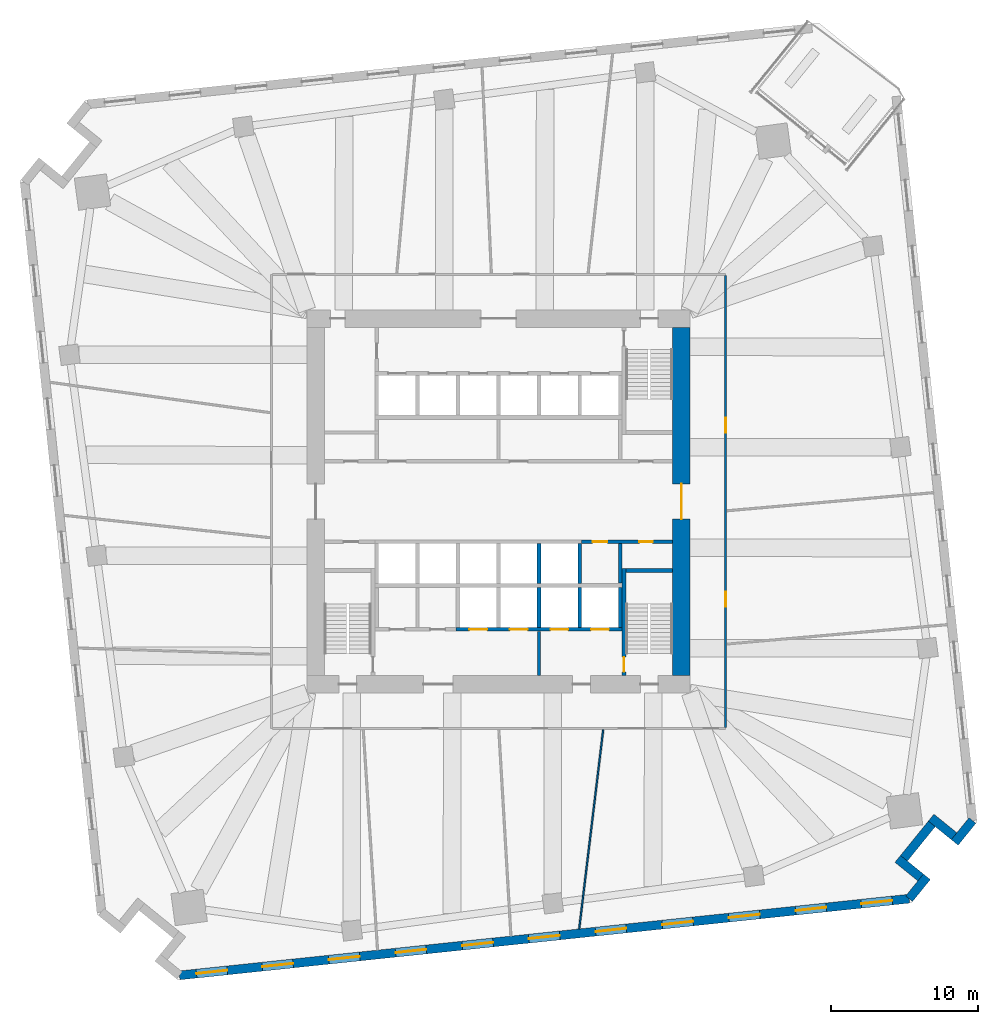
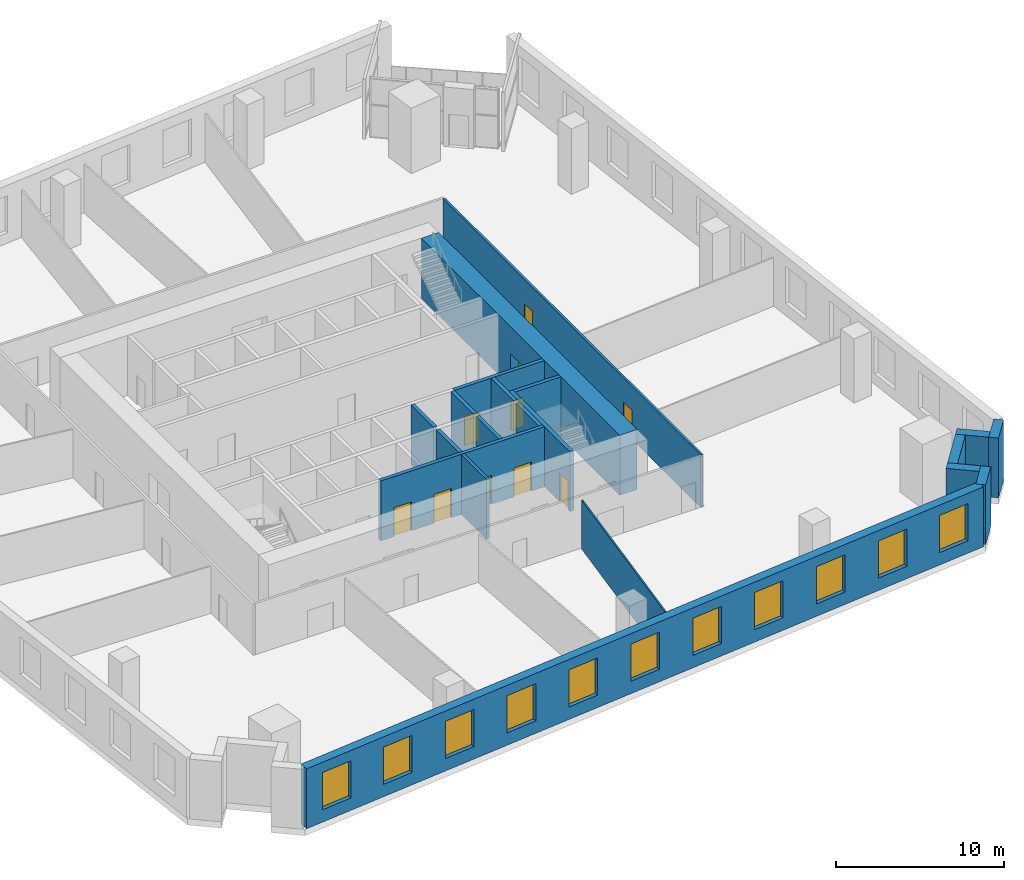
# One storey, part 5 of 10: 20 walls, 11 windows, 10 doors, 21 openings.
"""IFC4 building model written with IfcOpenShell, lengths in metres."""

from ifc_helpers import new_model, si_unit, direction, frame, frame_2d, origin, place, context, subcontext, project, spatial, rectangle, extrude, material, layer, layer_set, type_object, element, fill, save


model = new_model("IFC4")

# Units and contexts
model_context = context("Model", 3, precision=1e-05, world=origin(), true_north=direction((0.0, 1.0)))
body_context = subcontext(model_context, "Body", "Model", "MODEL_VIEW")
ifc_project = project(units=[si_unit("LENGTHUNIT", "METRE"), si_unit("AREAUNIT", "SQUARE_METRE"), si_unit("VOLUMEUNIT", "CUBIC_METRE"), si_unit("PLANEANGLEUNIT", "RADIAN"), si_unit("MASSUNIT", "GRAM", prefix="KILO")], contexts=[model_context])

# Site, building, storey
site_placement = place(None, origin())
site = spatial("IfcSite", under=ifc_project, at=site_placement, CompositionType="ELEMENT")
building_placement = place(site_placement, origin())
building = spatial("IfcBuilding", under=site, at=building_placement, Name="Dilmun Exchange Tower", CompositionType="ELEMENT")
storey_placement = place(building_placement, frame((0.0, 0.0, 46.5)))
storey = spatial("IfcBuildingStorey", under=building, at=storey_placement, Name="L10", CompositionType="ELEMENT", Elevation=46.5)

# Walls
ifc_material_1 = material(Name="Concrete C40/50", Category="concrete")
ifc_layer_1 = layer(ifc_material_1, 0.199951171875)
ifc_layer_set_1 = layer_set([ifc_layer_1], Name="Concrete C40/50")
wall_type_1 = type_object("IfcWallType", Name="Core partition wall 200", PredefinedType="PARTITIONING", material=ifc_layer_set_1)
wall_1_placement = place(storey_placement, frame((2.75, -11.794921875, 0.0), z_axis=(0.0, 0.0, 1.0), x_axis=(0.0, 1.0, 0.0)))
element("IfcWall", 1, at=wall_1_placement, inside=storey, type_object=wall_type_1, Name="L10 core partition wall 01", PredefinedType="PARTITIONING", context=body_context, shape_type="SweptSolid", body=[
    extrude(rectangle(XDim=2.989990234375, YDim=0.199951171875, at=frame_2d((1.4951171875, 0.0))), origin(), (0.0, 0.0, 1.0), 4.35009765625),
])
ifc_layer_2 = layer(ifc_material_1, 0.25)
ifc_layer_set_2 = layer_set([ifc_layer_2], Name="Concrete C40/50")
wall_type_2 = type_object("IfcWallType", Name="Core partition wall 250", PredefinedType="PARTITIONING", material=ifc_layer_set_2)
wall_2_placement = place(storey_placement, frame((8.25, -5.544921875, 0.0), z_axis=(0.0, 0.0, 1.0), x_axis=(0.0, 1.0, 0.0)))
element("IfcWall", 2, at=wall_2_placement, inside=storey, type_object=wall_type_2, Name="L10 core partition wall 05", PredefinedType="PARTITIONING", context=body_context, shape_type="SweptSolid", body=[
    extrude(rectangle(XDim=2.68994140625, YDim=0.25, at=frame_2d((1.344970703125, 0.0))), origin(), (0.0, 0.0, 1.0), 4.35009765625),
])

# Wall, openings, doors
wall_3_placement = place(storey_placement, frame((5.6298828125, -2.72509765625, 0.0), z_axis=(0.0, 0.0, 1.0), x_axis=(1.0, 0.0, 0.0)))
wall_3 = element("IfcWall", 3, at=wall_3_placement, inside=storey, type_object=wall_type_2, Name="L10 core partition wall 07", PredefinedType="PARTITIONING", context=body_context, shape_type="SweptSolid", body=[
    extrude(rectangle(XDim=6.1650390625, YDim=0.25, at=frame_2d((3.08251953125, 0.0))), origin(), (0.0, 0.0, 1.0), 4.35009765625),
])
opening_1_placement = place(wall_3_placement, frame((0.7451171875, 0.0, 0.0)))
opening_1 = element("IfcOpeningElement", 4, at=opening_1_placement, cuts=wall_3, Name="Opening CD4", PredefinedType="OPENING", context=body_context, shape_type="SweptSolid", body=[
    extrude(rectangle(XDim=1.0, YDim=2.10009765625, at=frame_2d((0.5, 1.050048828125))), frame((0.0, 0.135009765625, 0.0), z_axis=(0.0, -1.0, 0.0), x_axis=(1.0, 0.0, 0.0)), (0.0, 0.0, 1.0), 0.27001953125),
])
opening_2_placement = place(wall_3_placement, frame((3.919921875, 0.0, 0.0)))
opening_2 = element("IfcOpeningElement", 5, at=opening_2_placement, cuts=wall_3, Name="Opening CD6", PredefinedType="OPENING", context=body_context, shape_type="SweptSolid", body=[
    extrude(rectangle(XDim=0.89990234375, YDim=2.10009765625, at=frame_2d((0.449951171875, 1.050048828125))), frame((0.0, 0.135009765625, 0.0), z_axis=(0.0, -1.0, 0.0), x_axis=(1.0, 0.0, 0.0)), (0.0, 0.0, 1.0), 0.27001953125),
])
ifc_material_2 = material(Name="Fire-rated steel door set", Category="steel")
door_type_1 = type_object("IfcDoorType", Name="Core room door 1000x2100", OperationType="SINGLE_SWING_LEFT", PredefinedType="DOOR", material=ifc_material_2)
door_1_placement = place(opening_1_placement, origin())
door_1 = element("IfcDoor", 6, at=door_1_placement, inside=storey, type_object=door_type_1, Name="L10 door Cleaners' store", OperationType="SINGLE_SWING_LEFT", OverallHeight=2.10009765625, OverallWidth=1.0, PredefinedType="DOOR", context=body_context, shape_type="SweptSolid", body=[
    extrude(rectangle(XDim=1.0, YDim=2.10009765625, at=frame_2d((0.5, 1.050048828125))), frame((0.0, 0.02490234375, 0.0), z_axis=(0.0, -1.0, 0.0), x_axis=(1.0, 0.0, 0.0)), (0.0, 0.0, 1.0), 0.050048828125),
])
fill(opening_1, door_1)
door_type_2 = type_object("IfcDoorType", Name="Core room door 900x2100", OperationType="SINGLE_SWING_LEFT", PredefinedType="DOOR", material=ifc_material_2)
door_2_placement = place(opening_2_placement, origin())
door_2 = element("IfcDoor", 7, at=door_2_placement, inside=storey, type_object=door_type_2, Name="L10 door Comms riser", OperationType="SINGLE_SWING_LEFT", OverallHeight=2.10009765625, OverallWidth=0.89990234375, PredefinedType="DOOR", context=body_context, shape_type="SweptSolid", body=[
    extrude(rectangle(XDim=0.89990234375, YDim=2.10009765625, at=frame_2d((0.449951171875, 1.050048828125))), frame((0.0, 0.02490234375, 0.0), z_axis=(0.0, -1.0, 0.0), x_axis=(1.0, 0.0, 0.0)), (0.0, 0.0, 1.0), 0.050048828125),
])
fill(opening_2, door_2)

# Wall, opening, door
ifc_material_3 = material(Name="Concrete C80/95", Category="concrete")
ifc_layer_3 = layer(ifc_material_3, 1.199951171875)
ifc_layer_set_3 = layer_set([ifc_layer_3], Name="Concrete C80/95")
wall_type_3 = type_object("IfcWallType", Name="Core shear wall 1200 Concrete C80/95", PredefinedType="SHEAR", material=ifc_layer_set_3)
wall_4_placement = place(storey_placement, frame((12.39990234375, -11.800048828125, 0.0), z_axis=(0.0, 0.0, 1.0), x_axis=(0.0, 1.0, 0.0)))
wall_4 = element("IfcWall", 8, at=wall_4_placement, inside=storey, type_object=wall_type_3, Name="L10 core shear wall E", PredefinedType="SHEAR", context=body_context, shape_type="SweptSolid", body=[
    extrude(rectangle(XDim=23.60009765625, YDim=1.199951171875, at=frame_2d((11.800048828125, 0.0))), origin(), (0.0, 0.0, 1.0), 4.35009765625),
])
opening_3_placement = place(wall_4_placement, frame((10.60009765625, 0.0, 0.0)))
opening_3 = element("IfcOpeningElement", 9, at=opening_3_placement, cuts=wall_4, Name="Opening CD1", PredefinedType="OPENING", context=body_context, shape_type="SweptSolid", body=[
    extrude(rectangle(XDim=2.39990234375, YDim=2.39990234375, at=frame_2d((1.199951171875, 1.199951171875))), frame((0.0, 0.60986328125, 0.0), z_axis=(0.0, -1.0, 0.0), x_axis=(1.0, 0.0, 0.0)), (0.0, 0.0, 1.0), 1.219970703125),
])
door_type_3 = type_object("IfcDoorType", Name="Core lobby door 2400x2400", OperationType="DOUBLE_DOOR_DOUBLE_SWING", PredefinedType="DOOR", material=ifc_material_2)
door_3_placement = place(opening_3_placement, origin())
door_3 = element("IfcDoor", 10, at=door_3_placement, inside=storey, type_object=door_type_3, Name="L10 door Central lift lobby", OperationType="SINGLE_SWING_LEFT", OverallHeight=2.39990234375, OverallWidth=2.39990234375, PredefinedType="DOOR", context=body_context, shape_type="SweptSolid", body=[
    extrude(rectangle(XDim=2.39990234375, YDim=2.39990234375, at=frame_2d((1.199951171875, 1.199951171875))), frame((0.0, 0.02490234375, 0.0), z_axis=(0.0, -1.0, 0.0), x_axis=(1.0, 0.0, 0.0)), (0.0, 0.0, 1.0), 0.050048828125),
])
fill(opening_3, door_3)

# Wall, openings, doors
ifc_material_4 = material(Name="Corridor wall 150")
ifc_layer_4 = layer(ifc_material_4, 0.14990234375)
ifc_layer_set_4 = layer_set([ifc_layer_4], Name="Corridor wall 150")
wall_type_4 = type_object("IfcWallType", Name="Corridor wall 150", PredefinedType="PARTITIONING", material=ifc_layer_set_4)
wall_5_placement = place(storey_placement, frame((15.39990234375, -15.324951171875, 0.0), z_axis=(0.0, 0.0, 1.0), x_axis=(0.0, 1.0, 0.0)))
wall_5 = element("IfcWall", 11, at=wall_5_placement, inside=storey, type_object=wall_type_4, Name="Corridor wall", PredefinedType="PARTITIONING", context=body_context, shape_type="SweptSolid", body=[
    extrude(rectangle(XDim=30.64990234375, YDim=0.14990234375, at=frame_2d((15.324951171875, 0.0))), origin(), (0.0, 0.0, 1.0), 3.85009765625),
])
opening_4_placement = place(wall_5_placement, frame((19.985595703125, 0.0, 0.0)))
opening_4 = element("IfcOpeningElement", 12, at=opening_4_placement, cuts=wall_5, Name="Opening TF08-D12", PredefinedType="OPENING", context=body_context, shape_type="SweptSolid", body=[
    extrude(rectangle(XDim=1.0, YDim=2.10009765625, at=frame_2d((0.5, 1.050048828125))), frame((0.0, 0.0849609375, 0.0), z_axis=(0.0, -1.0, 0.0), x_axis=(1.0, 0.0, 0.0)), (0.0, 0.0, 1.0), 0.169921875),
])
opening_5_placement = place(wall_5_placement, frame((8.197021484375, 0.0, 0.0)))
opening_5 = element("IfcOpeningElement", 13, at=opening_5_placement, cuts=wall_5, Name="Opening TF08-D15", PredefinedType="OPENING", context=body_context, shape_type="SweptSolid", body=[
    extrude(rectangle(XDim=1.0, YDim=2.10009765625, at=frame_2d((0.5, 1.050048828125))), frame((0.0, 0.0849609375, 0.0), z_axis=(0.0, -1.0, 0.0), x_axis=(1.0, 0.0, 0.0)), (0.0, 0.0, 1.0), 0.169921875),
])
ifc_material_5 = material(Name="Fire door 1000 x 2100")
door_type_4 = type_object("IfcDoorType", Name="Fire door 1000 x 2100", OperationType="NOTDEFINED", PredefinedType="DOOR", material=ifc_material_5)
door_4_placement = place(opening_4_placement, frame((1.0, 0.0, 0.0), z_axis=(0.0, 0.0, 1.0), x_axis=(-1.0, 0.0, 0.0)))
door_4 = element("IfcDoor", 14, at=door_4_placement, inside=storey, type_object=door_type_4, Name="Door TF08-D12", OperationType="SINGLE_SWING_RIGHT", OverallHeight=2.10009765625, OverallWidth=1.0, PredefinedType="DOOR", context=body_context, shape_type="SweptSolid", body=[
    extrude(rectangle(XDim=1.0, YDim=2.10009765625, at=frame_2d((0.5, 1.050048828125))), frame((0.0, 0.02490234375, 0.0), z_axis=(0.0, -1.0, 0.0), x_axis=(1.0, 0.0, 0.0)), (0.0, 0.0, 1.0), 0.050048828125),
])
fill(opening_4, door_4)
door_5_placement = place(opening_5_placement, frame((1.0, 0.0, 0.0), z_axis=(0.0, 0.0, 1.0), x_axis=(-1.0, 0.0, 0.0)))
door_5 = element("IfcDoor", 15, at=door_5_placement, inside=storey, type_object=door_type_4, Name="Door TF08-D15", OperationType="SINGLE_SWING_LEFT", OverallHeight=2.10009765625, OverallWidth=1.0, PredefinedType="DOOR", context=body_context, shape_type="SweptSolid", body=[
    extrude(rectangle(XDim=1.0, YDim=2.10009765625, at=frame_2d((0.5, 1.050048828125))), frame((0.0, 0.02490234375, 0.0), z_axis=(0.0, -1.0, 0.0), x_axis=(1.0, 0.0, 0.0)), (0.0, 0.0, 1.0), 0.050048828125),
])
fill(opening_5, door_5)

# Walls
ifc_layer_5 = layer(ifc_material_1, 0.25)
ifc_layer_set_5 = layer_set([ifc_layer_5], Name="Concrete C40/50")
wall_type_5 = type_object("IfcWallType", Name="Lift shaft wall 250", PredefinedType="SOLIDWALL", material=ifc_layer_set_5)
for number, where, z_axis, x_axis, name in (
    (16, (2.75, -5.550048828125, 0.0), (0.0, 0.0, 1.0), (0.0, 1.0, 0.0), "L10 lift shaft divider S14"),
    (17, (5.5, -5.550048828125, 0.0), (0.0, 0.0, 1.0), (0.0, 1.0, 0.0), "L10 lift shaft divider S15"),
):
    element("IfcWall", number, at=place(storey_placement, frame(where, z_axis=z_axis, x_axis=x_axis)), inside=storey, type_object=wall_type_5, Name=name, PredefinedType="SOLIDWALL", context=body_context, shape_type="SweptSolid", body=[
        extrude(rectangle(XDim=2.699951171875, YDim=0.25, at=frame_2d((1.35009765625, 0.0))), origin(), (0.0, 0.0, 1.0), 4.35009765625),
    ])

# Wall, openings, doors
wall_6_placement = place(storey_placement, frame((-2.875, -8.675048828125, 0.0), z_axis=(0.0, 0.0, 1.0), x_axis=(1.0, 0.0, 0.0)))
wall_6 = element("IfcWall", 18, at=wall_6_placement, inside=storey, type_object=wall_type_5, Name="L10 lift shaft front wall S2", PredefinedType="SOLIDWALL", context=body_context, shape_type="SweptSolid", body=[
    extrude(rectangle(XDim=11.25, YDim=0.25, at=frame_2d((5.625, 0.0))), origin(), (0.0, 0.0, 1.0), 4.35009765625),
])
opening_6_placement = place(wall_6_placement, frame((0.89990234375, 0.0, 0.0)))
opening_6 = element("IfcOpeningElement", 19, at=opening_6_placement, cuts=wall_6, Name="Opening LD", PredefinedType="OPENING", context=body_context, shape_type="SweptSolid", body=[
    extrude(rectangle(XDim=1.199951171875, YDim=2.10009765625, at=frame_2d((0.60009765625, 1.050048828125))), frame((0.0, 0.135009765625, 0.0), z_axis=(0.0, -1.0, 0.0), x_axis=(1.0, 0.0, 0.0)), (0.0, 0.0, 1.0), 0.27001953125),
])
opening_7_placement = place(wall_6_placement, frame((3.64990234375, 0.0, 0.0)))
opening_7 = element("IfcOpeningElement", 20, at=opening_7_placement, cuts=wall_6, Name="Opening LD", PredefinedType="OPENING", context=body_context, shape_type="SweptSolid", body=[
    extrude(rectangle(XDim=1.199951171875, YDim=2.10009765625, at=frame_2d((0.60009765625, 1.050048828125))), frame((0.0, 0.135009765625, 0.0), z_axis=(0.0, -1.0, 0.0), x_axis=(1.0, 0.0, 0.0)), (0.0, 0.0, 1.0), 0.27001953125),
])
opening_8_placement = place(wall_6_placement, frame((6.39990234375, 0.0, 0.0)))
opening_8 = element("IfcOpeningElement", 21, at=opening_8_placement, cuts=wall_6, Name="Opening LD", PredefinedType="OPENING", context=body_context, shape_type="SweptSolid", body=[
    extrude(rectangle(XDim=1.199951171875, YDim=2.10009765625, at=frame_2d((0.60009765625, 1.050048828125))), frame((0.0, 0.135009765625, 0.0), z_axis=(0.0, -1.0, 0.0), x_axis=(1.0, 0.0, 0.0)), (0.0, 0.0, 1.0), 0.27001953125),
])
opening_9_placement = place(wall_6_placement, frame((9.14990234375, 0.0, 0.0)))
opening_9 = element("IfcOpeningElement", 22, at=opening_9_placement, cuts=wall_6, Name="Opening LD", PredefinedType="OPENING", context=body_context, shape_type="SweptSolid", body=[
    extrude(rectangle(XDim=1.199951171875, YDim=2.10009765625, at=frame_2d((0.60009765625, 1.050048828125))), frame((0.0, 0.135009765625, 0.0), z_axis=(0.0, -1.0, 0.0), x_axis=(1.0, 0.0, 0.0)), (0.0, 0.0, 1.0), 0.27001953125),
])
door_type_5 = type_object("IfcDoorType", Name="Lift landing door 1200x2100", OperationType="DOUBLE_DOOR_SLIDING", PredefinedType="DOOR", material=ifc_material_2)
door_6_placement = place(opening_6_placement, origin())
door_6 = element("IfcDoor", 23, at=door_6_placement, inside=storey, type_object=door_type_5, Name="L10 landing door SV1", OperationType="DOUBLE_DOOR_SLIDING", OverallHeight=2.10009765625, OverallWidth=1.199951171875, PredefinedType="DOOR", context=body_context, shape_type="SweptSolid", body=[
    extrude(rectangle(XDim=1.199951171875, YDim=2.10009765625, at=frame_2d((0.60009765625, 1.050048828125))), frame((0.0, 0.02490234375, 0.0), z_axis=(0.0, -1.0, 0.0), x_axis=(1.0, 0.0, 0.0)), (0.0, 0.0, 1.0), 0.050048828125),
])
fill(opening_6, door_6)
door_7_placement = place(opening_7_placement, origin())
door_7 = element("IfcDoor", 24, at=door_7_placement, inside=storey, type_object=door_type_5, Name="L10 landing door SV2", OperationType="DOUBLE_DOOR_SLIDING", OverallHeight=2.10009765625, OverallWidth=1.199951171875, PredefinedType="DOOR", context=body_context, shape_type="SweptSolid", body=[
    extrude(rectangle(XDim=1.199951171875, YDim=2.10009765625, at=frame_2d((0.60009765625, 1.050048828125))), frame((0.0, 0.02490234375, 0.0), z_axis=(0.0, -1.0, 0.0), x_axis=(1.0, 0.0, 0.0)), (0.0, 0.0, 1.0), 0.050048828125),
])
fill(opening_7, door_7)
door_8_placement = place(opening_8_placement, origin())
door_8 = element("IfcDoor", 25, at=door_8_placement, inside=storey, type_object=door_type_5, Name="L10 landing door FF1", OperationType="DOUBLE_DOOR_SLIDING", OverallHeight=2.10009765625, OverallWidth=1.199951171875, PredefinedType="DOOR", context=body_context, shape_type="SweptSolid", body=[
    extrude(rectangle(XDim=1.199951171875, YDim=2.10009765625, at=frame_2d((0.60009765625, 1.050048828125))), frame((0.0, 0.02490234375, 0.0), z_axis=(0.0, -1.0, 0.0), x_axis=(1.0, 0.0, 0.0)), (0.0, 0.0, 1.0), 0.050048828125),
])
fill(opening_8, door_8)
door_9_placement = place(opening_9_placement, origin())
door_9 = element("IfcDoor", 26, at=door_9_placement, inside=storey, type_object=door_type_5, Name="L10 landing door FF2", OperationType="DOUBLE_DOOR_SLIDING", OverallHeight=2.10009765625, OverallWidth=1.199951171875, PredefinedType="DOOR", context=body_context, shape_type="SweptSolid", body=[
    extrude(rectangle(XDim=1.199951171875, YDim=2.10009765625, at=frame_2d((0.60009765625, 1.050048828125))), frame((0.0, 0.02490234375, 0.0), z_axis=(0.0, -1.0, 0.0), x_axis=(1.0, 0.0, 0.0)), (0.0, 0.0, 1.0), 0.050048828125),
])
fill(opening_9, door_9)

# Walls
for number, where, z_axis, x_axis, name in (
    (27, (2.75, -8.550048828125, 0.0), (0.0, 0.0, 1.0), (0.0, 1.0, 0.0), "L10 lift shaft divider S24"),
    (28, (5.5, -8.550048828125, 0.0), (0.0, 0.0, 1.0), (0.0, 1.0, 0.0), "L10 lift shaft divider S25"),
    (29, (8.25, -8.550048828125, 0.0), (0.0, 0.0, 1.0), (0.0, 1.0, 0.0), "L10 lift shaft divider S26"),
):
    element("IfcWall", number, at=place(storey_placement, frame(where, z_axis=z_axis, x_axis=x_axis)), inside=storey, type_object=wall_type_5, Name=name, PredefinedType="SOLIDWALL", context=body_context, shape_type="SweptSolid", body=[
        extrude(rectangle(XDim=2.699951171875, YDim=0.25, at=frame_2d((1.35009765625, 0.0))), origin(), (0.0, 0.0, 1.0), 4.35009765625),
    ])
ifc_material_6 = material(Name="Partition 100")
ifc_layer_6 = layer(ifc_material_6, 0.10009765625)
ifc_layer_set_6 = layer_set([ifc_layer_6], Name="Partition 100")
wall_type_6 = type_object("IfcWallType", Name="Partition 100", PredefinedType="PARTITIONING", material=ifc_layer_set_6)
wall_7_placement = place(storey_placement, frame((5.468994140625, -28.985107421875, 0.0), z_axis=(0.0, 0.0, 1.0), x_axis=(0.119701505931, 0.992809926158, 0.0)))
element("IfcWall", 30, at=wall_7_placement, inside=storey, type_object=wall_type_6, Name="Partition", PredefinedType="PARTITIONING", context=body_context, shape_type="SweptSolid", body=[
    extrude(rectangle(XDim=13.60205078125, YDim=0.10009765625, at=frame_2d((6.801025390625, 0.0))), origin(), (0.0, 0.0, 1.0), 3.550048828125),
])

# Wall, openings, windows
ifc_material_7 = material(Name="Precast concrete C50/60", Category="concrete")
ifc_layer_7 = layer(ifc_material_7, 0.60009765625)
ifc_layer_set_7 = layer_set([ifc_layer_7], Name="Precast concrete C50/60")
wall_type_7 = type_object("IfcWallType", Name="Precast stone-clad wall 600", PredefinedType="STANDARD", material=ifc_layer_set_7)
wall_8_placement = place(storey_placement, frame((-21.635009765625, -32.137451171875, 0.0), z_axis=(0.0, 0.0, 1.0), x_axis=(0.994521923397, 0.104528196591, 0.0)))
wall_8 = element("IfcWall", 31, at=wall_8_placement, inside=storey, type_object=wall_type_7, Name="Facade wall L10-15", PredefinedType="STANDARD", context=body_context, shape_type="SweptSolid", body=[
    extrude(rectangle(XDim=49.75146484375, YDim=0.60009765625, at=frame_2d((24.875732421875, 0.0))), origin(), (0.0, 0.0, 1.0), 4.35009765625),
])
opening_10_placement = place(wall_8_placement, frame((1.16064453125, 0.0, 0.89990234375)))
opening_10 = element("IfcOpeningElement", 32, at=opening_10_placement, cuts=wall_8, Name="Opening W210-270", PredefinedType="OPENING", context=body_context, shape_type="SweptSolid", body=[
    extrude(rectangle(XDim=2.10009765625, YDim=2.699951171875, at=frame_2d((1.050048828125, 1.35009765625))), frame((0.0, 0.31005859375, 0.0), z_axis=(0.0, -1.0, 0.0), x_axis=(1.0, 0.0, 0.0)), (0.0, 0.0, 1.0), 0.6201171875),
])
opening_11_placement = place(wall_8_placement, frame((5.643798828125, 0.0, 0.89990234375)))
opening_11 = element("IfcOpeningElement", 33, at=opening_11_placement, cuts=wall_8, Name="Opening W210-270", PredefinedType="OPENING", context=body_context, shape_type="SweptSolid", body=[
    extrude(rectangle(XDim=2.10009765625, YDim=2.699951171875, at=frame_2d((1.050048828125, 1.35009765625))), frame((0.0, 0.31005859375, 0.0), z_axis=(0.0, -1.0, 0.0), x_axis=(1.0, 0.0, 0.0)), (0.0, 0.0, 1.0), 0.6201171875),
])
opening_12_placement = place(wall_8_placement, frame((10.189453125, 0.0, 0.89990234375)))
opening_12 = element("IfcOpeningElement", 34, at=opening_12_placement, cuts=wall_8, Name="Opening W210-270", PredefinedType="OPENING", context=body_context, shape_type="SweptSolid", body=[
    extrude(rectangle(XDim=2.10009765625, YDim=2.699951171875, at=frame_2d((1.050048828125, 1.35009765625))), frame((0.0, 0.31005859375, 0.0), z_axis=(0.0, -1.0, 0.0), x_axis=(1.0, 0.0, 0.0)), (0.0, 0.0, 1.0), 0.6201171875),
])
opening_13_placement = place(wall_8_placement, frame((14.73486328125, 0.0, 0.89990234375)))
opening_13 = element("IfcOpeningElement", 35, at=opening_13_placement, cuts=wall_8, Name="Opening W210-270", PredefinedType="OPENING", context=body_context, shape_type="SweptSolid", body=[
    extrude(rectangle(XDim=2.10009765625, YDim=2.699951171875, at=frame_2d((1.050048828125, 1.35009765625))), frame((0.0, 0.31005859375, 0.0), z_axis=(0.0, -1.0, 0.0), x_axis=(1.0, 0.0, 0.0)), (0.0, 0.0, 1.0), 0.6201171875),
])
opening_14_placement = place(wall_8_placement, frame((19.2802734375, 0.0, 0.89990234375)))
opening_14 = element("IfcOpeningElement", 36, at=opening_14_placement, cuts=wall_8, Name="Opening W210-270", PredefinedType="OPENING", context=body_context, shape_type="SweptSolid", body=[
    extrude(rectangle(XDim=2.10009765625, YDim=2.699951171875, at=frame_2d((1.050048828125, 1.35009765625))), frame((0.0, 0.31005859375, 0.0), z_axis=(0.0, -1.0, 0.0), x_axis=(1.0, 0.0, 0.0)), (0.0, 0.0, 1.0), 0.6201171875),
])
opening_15_placement = place(wall_8_placement, frame((23.82568359375, 0.0, 0.89990234375)))
opening_15 = element("IfcOpeningElement", 37, at=opening_15_placement, cuts=wall_8, Name="Opening W210-270", PredefinedType="OPENING", context=body_context, shape_type="SweptSolid", body=[
    extrude(rectangle(XDim=2.10009765625, YDim=2.699951171875, at=frame_2d((1.050048828125, 1.35009765625))), frame((0.0, 0.31005859375, 0.0), z_axis=(0.0, -1.0, 0.0), x_axis=(1.0, 0.0, 0.0)), (0.0, 0.0, 1.0), 0.6201171875),
])
opening_16_placement = place(wall_8_placement, frame((28.37109375, 0.0, 0.89990234375)))
opening_16 = element("IfcOpeningElement", 38, at=opening_16_placement, cuts=wall_8, Name="Opening W210-270", PredefinedType="OPENING", context=body_context, shape_type="SweptSolid", body=[
    extrude(rectangle(XDim=2.10009765625, YDim=2.699951171875, at=frame_2d((1.050048828125, 1.35009765625))), frame((0.0, 0.31005859375, 0.0), z_axis=(0.0, -1.0, 0.0), x_axis=(1.0, 0.0, 0.0)), (0.0, 0.0, 1.0), 0.6201171875),
])
opening_17_placement = place(wall_8_placement, frame((32.91650390625, 0.0, 0.89990234375)))
opening_17 = element("IfcOpeningElement", 39, at=opening_17_placement, cuts=wall_8, Name="Opening W210-270", PredefinedType="OPENING", context=body_context, shape_type="SweptSolid", body=[
    extrude(rectangle(XDim=2.10009765625, YDim=2.699951171875, at=frame_2d((1.050048828125, 1.35009765625))), frame((0.0, 0.31005859375, 0.0), z_axis=(0.0, -1.0, 0.0), x_axis=(1.0, 0.0, 0.0)), (0.0, 0.0, 1.0), 0.6201171875),
])
opening_18_placement = place(wall_8_placement, frame((37.462158203125, 0.0, 0.89990234375)))
opening_18 = element("IfcOpeningElement", 40, at=opening_18_placement, cuts=wall_8, Name="Opening W210-270", PredefinedType="OPENING", context=body_context, shape_type="SweptSolid", body=[
    extrude(rectangle(XDim=2.10009765625, YDim=2.699951171875, at=frame_2d((1.050048828125, 1.35009765625))), frame((0.0, 0.31005859375, 0.0), z_axis=(0.0, -1.0, 0.0), x_axis=(1.0, 0.0, 0.0)), (0.0, 0.0, 1.0), 0.6201171875),
])
opening_19_placement = place(wall_8_placement, frame((42.007568359375, 0.0, 0.89990234375)))
opening_19 = element("IfcOpeningElement", 41, at=opening_19_placement, cuts=wall_8, Name="Opening W210-270", PredefinedType="OPENING", context=body_context, shape_type="SweptSolid", body=[
    extrude(rectangle(XDim=2.10009765625, YDim=2.699951171875, at=frame_2d((1.050048828125, 1.35009765625))), frame((0.0, 0.31005859375, 0.0), z_axis=(0.0, -1.0, 0.0), x_axis=(1.0, 0.0, 0.0)), (0.0, 0.0, 1.0), 0.6201171875),
])
opening_20_placement = place(wall_8_placement, frame((46.490966796875, 0.0, 0.89990234375)))
opening_20 = element("IfcOpeningElement", 42, at=opening_20_placement, cuts=wall_8, Name="Opening W210-270", PredefinedType="OPENING", context=body_context, shape_type="SweptSolid", body=[
    extrude(rectangle(XDim=2.10009765625, YDim=2.699951171875, at=frame_2d((1.050048828125, 1.35009765625))), frame((0.0, 0.31005859375, 0.0), z_axis=(0.0, -1.0, 0.0), x_axis=(1.0, 0.0, 0.0)), (0.0, 0.0, 1.0), 0.6201171875),
])
ifc_material_8 = material(Name="Clear low-emissivity glass in aluminium frame", Category="aluminium")
window_type = type_object("IfcWindowType", Name="Punched window 2100 x 2700", PartitioningType="DOUBLE_PANEL_VERTICAL", PredefinedType="WINDOW", material=ifc_material_8)
window_1_placement = place(opening_10_placement, origin())
window_1 = element("IfcWindow", 43, at=window_1_placement, inside=storey, type_object=window_type, Name="Window 16.1", OverallHeight=2.699951171875, OverallWidth=2.10009765625, PartitioningType="SINGLE_PANEL", PredefinedType="WINDOW", context=body_context, shape_type="SweptSolid", body=[
    extrude(rectangle(XDim=2.10009765625, YDim=2.699951171875, at=frame_2d((1.050048828125, 1.35009765625))), frame((0.0, 0.030029296875, 0.0), z_axis=(0.0, -1.0, 0.0), x_axis=(1.0, 0.0, 0.0)), (0.0, 0.0, 1.0), 0.06005859375),
])
fill(opening_10, window_1)
window_2_placement = place(opening_11_placement, origin())
window_2 = element("IfcWindow", 44, at=window_2_placement, inside=storey, type_object=window_type, Name="Window 16.2", OverallHeight=2.699951171875, OverallWidth=2.10009765625, PartitioningType="SINGLE_PANEL", PredefinedType="WINDOW", context=body_context, shape_type="SweptSolid", body=[
    extrude(rectangle(XDim=2.10009765625, YDim=2.699951171875, at=frame_2d((1.050048828125, 1.35009765625))), frame((0.0, 0.030029296875, 0.0), z_axis=(0.0, -1.0, 0.0), x_axis=(1.0, 0.0, 0.0)), (0.0, 0.0, 1.0), 0.06005859375),
])
fill(opening_11, window_2)
window_3_placement = place(opening_12_placement, origin())
window_3 = element("IfcWindow", 45, at=window_3_placement, inside=storey, type_object=window_type, Name="Window 16.3", OverallHeight=2.699951171875, OverallWidth=2.10009765625, PartitioningType="SINGLE_PANEL", PredefinedType="WINDOW", context=body_context, shape_type="SweptSolid", body=[
    extrude(rectangle(XDim=2.10009765625, YDim=2.699951171875, at=frame_2d((1.050048828125, 1.35009765625))), frame((0.0, 0.030029296875, 0.0), z_axis=(0.0, -1.0, 0.0), x_axis=(1.0, 0.0, 0.0)), (0.0, 0.0, 1.0), 0.06005859375),
])
fill(opening_12, window_3)
window_4_placement = place(opening_13_placement, origin())
window_4 = element("IfcWindow", 46, at=window_4_placement, inside=storey, type_object=window_type, Name="Window 16.4", OverallHeight=2.699951171875, OverallWidth=2.10009765625, PartitioningType="SINGLE_PANEL", PredefinedType="WINDOW", context=body_context, shape_type="SweptSolid", body=[
    extrude(rectangle(XDim=2.10009765625, YDim=2.699951171875, at=frame_2d((1.050048828125, 1.35009765625))), frame((0.0, 0.030029296875, 0.0), z_axis=(0.0, -1.0, 0.0), x_axis=(1.0, 0.0, 0.0)), (0.0, 0.0, 1.0), 0.06005859375),
])
fill(opening_13, window_4)
window_5_placement = place(opening_14_placement, origin())
window_5 = element("IfcWindow", 47, at=window_5_placement, inside=storey, type_object=window_type, Name="Window 16.5", OverallHeight=2.699951171875, OverallWidth=2.10009765625, PartitioningType="SINGLE_PANEL", PredefinedType="WINDOW", context=body_context, shape_type="SweptSolid", body=[
    extrude(rectangle(XDim=2.10009765625, YDim=2.699951171875, at=frame_2d((1.050048828125, 1.35009765625))), frame((0.0, 0.030029296875, 0.0), z_axis=(0.0, -1.0, 0.0), x_axis=(1.0, 0.0, 0.0)), (0.0, 0.0, 1.0), 0.06005859375),
])
fill(opening_14, window_5)
window_6_placement = place(opening_15_placement, origin())
window_6 = element("IfcWindow", 48, at=window_6_placement, inside=storey, type_object=window_type, Name="Window 16.6", OverallHeight=2.699951171875, OverallWidth=2.10009765625, PartitioningType="SINGLE_PANEL", PredefinedType="WINDOW", context=body_context, shape_type="SweptSolid", body=[
    extrude(rectangle(XDim=2.10009765625, YDim=2.699951171875, at=frame_2d((1.050048828125, 1.35009765625))), frame((0.0, 0.030029296875, 0.0), z_axis=(0.0, -1.0, 0.0), x_axis=(1.0, 0.0, 0.0)), (0.0, 0.0, 1.0), 0.06005859375),
])
fill(opening_15, window_6)
window_7_placement = place(opening_16_placement, origin())
window_7 = element("IfcWindow", 49, at=window_7_placement, inside=storey, type_object=window_type, Name="Window 16.7", OverallHeight=2.699951171875, OverallWidth=2.10009765625, PartitioningType="SINGLE_PANEL", PredefinedType="WINDOW", context=body_context, shape_type="SweptSolid", body=[
    extrude(rectangle(XDim=2.10009765625, YDim=2.699951171875, at=frame_2d((1.050048828125, 1.35009765625))), frame((0.0, 0.030029296875, 0.0), z_axis=(0.0, -1.0, 0.0), x_axis=(1.0, 0.0, 0.0)), (0.0, 0.0, 1.0), 0.06005859375),
])
fill(opening_16, window_7)
window_8_placement = place(opening_17_placement, origin())
window_8 = element("IfcWindow", 50, at=window_8_placement, inside=storey, type_object=window_type, Name="Window 16.8", OverallHeight=2.699951171875, OverallWidth=2.10009765625, PartitioningType="SINGLE_PANEL", PredefinedType="WINDOW", context=body_context, shape_type="SweptSolid", body=[
    extrude(rectangle(XDim=2.10009765625, YDim=2.699951171875, at=frame_2d((1.050048828125, 1.35009765625))), frame((0.0, 0.030029296875, 0.0), z_axis=(0.0, -1.0, 0.0), x_axis=(1.0, 0.0, 0.0)), (0.0, 0.0, 1.0), 0.06005859375),
])
fill(opening_17, window_8)
window_9_placement = place(opening_18_placement, origin())
window_9 = element("IfcWindow", 51, at=window_9_placement, inside=storey, type_object=window_type, Name="Window 16.9", OverallHeight=2.699951171875, OverallWidth=2.10009765625, PartitioningType="SINGLE_PANEL", PredefinedType="WINDOW", context=body_context, shape_type="SweptSolid", body=[
    extrude(rectangle(XDim=2.10009765625, YDim=2.699951171875, at=frame_2d((1.050048828125, 1.35009765625))), frame((0.0, 0.030029296875, 0.0), z_axis=(0.0, -1.0, 0.0), x_axis=(1.0, 0.0, 0.0)), (0.0, 0.0, 1.0), 0.06005859375),
])
fill(opening_18, window_9)
window_10_placement = place(opening_19_placement, origin())
window_10 = element("IfcWindow", 52, at=window_10_placement, inside=storey, type_object=window_type, Name="Window 16.10", OverallHeight=2.699951171875, OverallWidth=2.10009765625, PartitioningType="SINGLE_PANEL", PredefinedType="WINDOW", context=body_context, shape_type="SweptSolid", body=[
    extrude(rectangle(XDim=2.10009765625, YDim=2.699951171875, at=frame_2d((1.050048828125, 1.35009765625))), frame((0.0, 0.030029296875, 0.0), z_axis=(0.0, -1.0, 0.0), x_axis=(1.0, 0.0, 0.0)), (0.0, 0.0, 1.0), 0.06005859375),
])
fill(opening_19, window_10)
window_11_placement = place(opening_20_placement, origin())
window_11 = element("IfcWindow", 53, at=window_11_placement, inside=storey, type_object=window_type, Name="Window 16.11", OverallHeight=2.699951171875, OverallWidth=2.10009765625, PartitioningType="SINGLE_PANEL", PredefinedType="WINDOW", context=body_context, shape_type="SweptSolid", body=[
    extrude(rectangle(XDim=2.10009765625, YDim=2.699951171875, at=frame_2d((1.050048828125, 1.35009765625))), frame((0.0, 0.030029296875, 0.0), z_axis=(0.0, -1.0, 0.0), x_axis=(1.0, 0.0, 0.0)), (0.0, 0.0, 1.0), 0.06005859375),
])
fill(opening_20, window_11)

# Walls
wall_9_placement = place(storey_placement, frame((27.843994140625, -26.93701171875, 0.0), z_axis=(0.0, 0.0, 1.0), x_axis=(0.629341524136, 0.777128847746, 0.0)))
element("IfcWall", 54, at=wall_9_placement, inside=storey, type_object=wall_type_7, Name="Facade wall L10-16", PredefinedType="STANDARD", context=body_context, shape_type="SweptSolid", body=[
    extrude(rectangle(XDim=1.911376953125, YDim=0.60009765625, at=frame_2d((0.95556640625, 0.0))), origin(), (0.0, 0.0, 1.0), 4.35009765625),
])
wall_10_placement = place(storey_placement, frame((28.624755859375, -25.49609375, 0.0), z_axis=(0.0, 0.0, 1.0), x_axis=(-0.777091341611, 0.629387834958, 0.0)))
element("IfcWall", 55, at=wall_10_placement, inside=storey, type_object=wall_type_7, Name="Facade wall L10-17", PredefinedType="STANDARD", context=body_context, shape_type="SweptSolid", body=[
    extrude(rectangle(XDim=2.0, YDim=0.60009765625, at=frame_2d((1.0, 0.0))), origin(), (0.0, 0.0, 1.0), 4.35009765625),
])
wall_11_placement = place(storey_placement, frame((27.492431640625, -24.193115234375, 0.0), z_axis=(0.0, 0.0, 1.0), x_axis=(0.629338688562, 0.777131144068, 0.0)))
element("IfcWall", 56, at=wall_11_placement, inside=storey, type_object=wall_type_7, Name="Facade wall L10-18", PredefinedType="STANDARD", context=body_context, shape_type="SweptSolid", body=[
    extrude(rectangle(XDim=3.0, YDim=0.60009765625, at=frame_2d((1.5, 0.0))), origin(), (0.0, 0.0, 1.0), 4.35009765625),
])
wall_12_placement = place(storey_placement, frame((29.336181640625, -21.439697265625, 0.0), z_axis=(0.0, 0.0, 1.0), x_axis=(0.777091341611, -0.629387834958, 0.0)))
element("IfcWall", 57, at=wall_12_placement, inside=storey, type_object=wall_type_7, Name="Facade wall L10-19", PredefinedType="STANDARD", context=body_context, shape_type="SweptSolid", body=[
    extrude(rectangle(XDim=2.0, YDim=0.60009765625, at=frame_2d((1.0, 0.0))), origin(), (0.0, 0.0, 1.0), 4.35009765625),
])
wall_13_placement = place(storey_placement, frame((30.934814453125, -23.120361328125, 0.0), z_axis=(0.0, 0.0, 1.0), x_axis=(0.629264373012, 0.777191320627, 0.0)))
element("IfcWall", 58, at=wall_13_placement, inside=storey, type_object=wall_type_7, Name="Facade wall L10-20", PredefinedType="STANDARD", context=body_context, shape_type="SweptSolid", body=[
    extrude(rectangle(XDim=1.9111328125, YDim=0.60009765625, at=frame_2d((0.95556640625, 0.0))), origin(), (0.0, 0.0, 1.0), 4.35009765625),
])
ifc_layer_8 = layer(ifc_material_1, 0.25)
ifc_layer_set_8 = layer_set([ifc_layer_8], Name="Concrete C40/50")
wall_type_8 = type_object("IfcWallType", Name="Stair end wall 250", PredefinedType="SOLIDWALL", material=ifc_layer_set_8)
wall_14_placement = place(storey_placement, frame((8.64990234375, -4.675048828125, 0.0), z_axis=(0.0, 0.0, 1.0), x_axis=(1.0, 0.0, 0.0)))
element("IfcWall", 59, at=wall_14_placement, inside=storey, type_object=wall_type_8, Name="L10 ST3 far wall", PredefinedType="SOLIDWALL", context=body_context, shape_type="SweptSolid", body=[
    extrude(rectangle(XDim=3.150146484375, YDim=0.25, at=frame_2d((1.5751953125, 0.0))), origin(), (0.0, 0.0, 1.0), 4.35009765625),
])

# Wall, opening, door
ifc_layer_9 = layer(ifc_material_1, 0.27490234375)
ifc_layer_set_9 = layer_set([ifc_layer_9], Name="Concrete C40/50")
wall_type_9 = type_object("IfcWallType", Name="Stair wall 275", PredefinedType="SOLIDWALL", material=ifc_layer_set_9)
wall_15_placement = place(storey_placement, frame((8.512451171875, -4.550048828125, 0.0), z_axis=(0.0, 0.0, 1.0), x_axis=(0.0, -1.0, 0.0)))
wall_15 = element("IfcWall", 60, at=wall_15_placement, inside=storey, type_object=wall_type_9, Name="L10 ST3 wall to lift block", PredefinedType="SOLIDWALL", context=body_context, shape_type="SweptSolid", body=[
    extrude(rectangle(XDim=7.25, YDim=0.27490234375, at=frame_2d((3.625, 0.0))), origin(), (0.0, 0.0, 1.0), 4.35009765625),
])
opening_21_placement = place(wall_15_placement, frame((6.0, 0.0, 0.0)))
opening_21 = element("IfcOpeningElement", 61, at=opening_21_placement, cuts=wall_15, Name="Opening CD4", PredefinedType="OPENING", context=body_context, shape_type="SweptSolid", body=[
    extrude(rectangle(XDim=1.0, YDim=2.10009765625, at=frame_2d((0.5, 1.050048828125))), frame((0.0, 0.1474609375, 0.0), z_axis=(0.0, -1.0, 0.0), x_axis=(1.0, 0.0, 0.0)), (0.0, 0.0, 1.0), 0.294921875),
])
door_10_placement = place(opening_21_placement, origin())
door_10 = element("IfcDoor", 62, at=door_10_placement, inside=storey, type_object=door_type_1, Name="L10 door ST3 from lobby", OperationType="SINGLE_SWING_LEFT", OverallHeight=2.10009765625, OverallWidth=1.0, PredefinedType="DOOR", context=body_context, shape_type="SweptSolid", body=[
    extrude(rectangle(XDim=1.0, YDim=2.10009765625, at=frame_2d((0.5, 1.050048828125))), frame((0.0, 0.02490234375, 0.0), z_axis=(0.0, -1.0, 0.0), x_axis=(1.0, 0.0, 0.0)), (0.0, 0.0, 1.0), 0.050048828125),
])
fill(opening_21, door_10)

save(model, "model.ifc")
